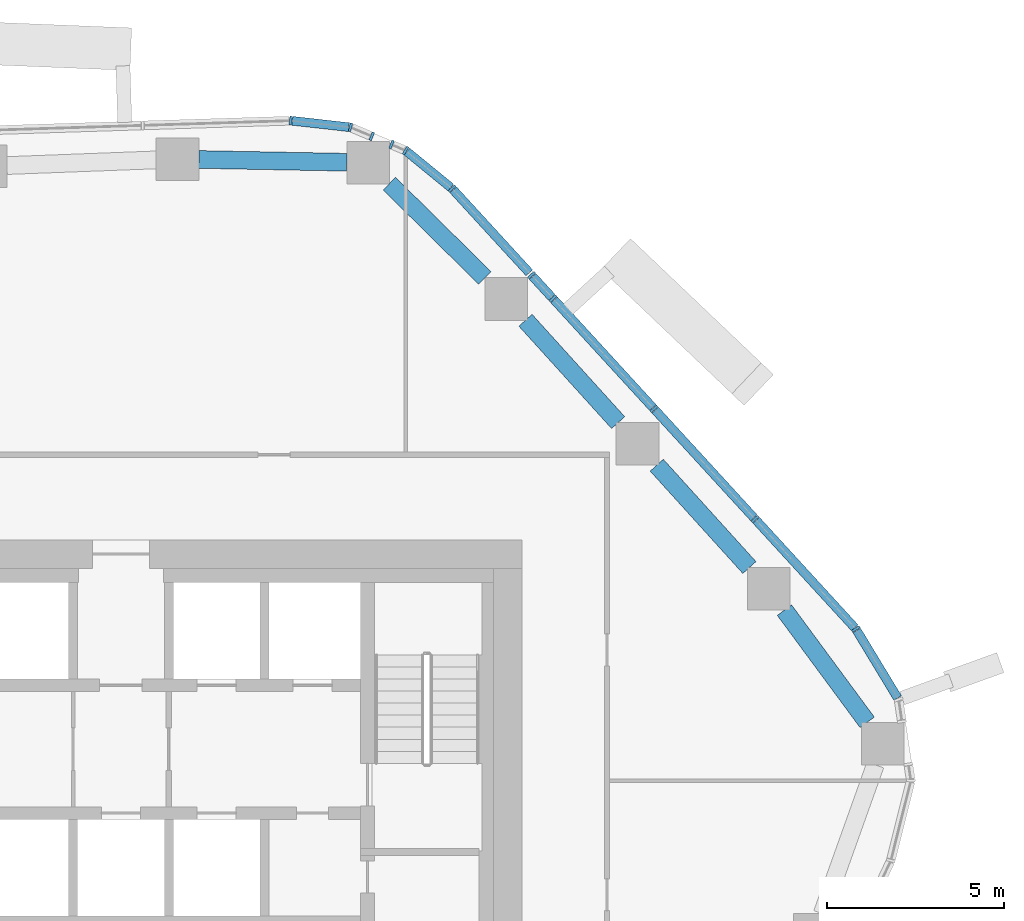
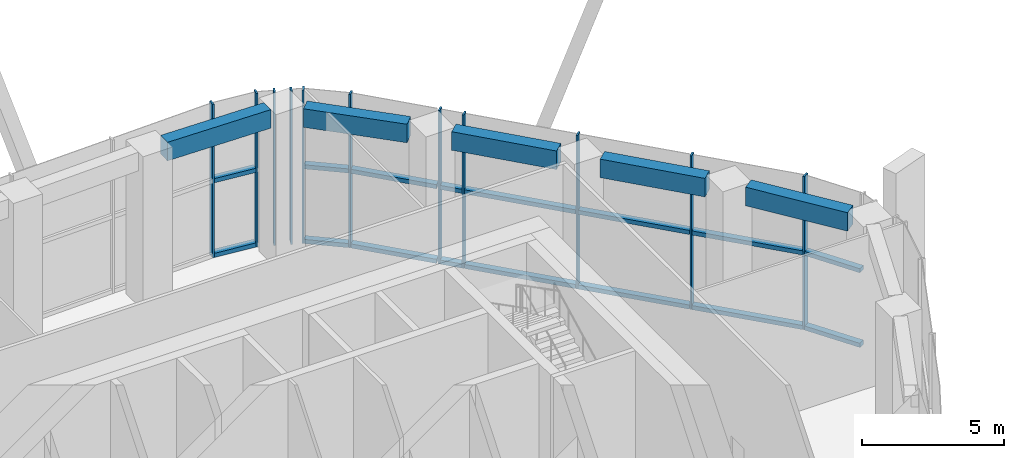
# One storey, part 5 of 20: 27 members, 5 beams, 5 elements without a shape of their own.
"""IFC4 building model written with IfcOpenShell, lengths in metres."""

from ifc_helpers import new_model, si_unit, direction, frame, origin, origin_2d, place, context, subcontext, project, spatial, rectangle, extrude, material, layer, layer_set, material_profile, profile_set, type_object, element, aggregate, save


model = new_model("IFC4")

# Units and contexts
model_context = context("Model", 3, precision=1e-05, world=origin(), true_north=direction((0.0, 1.0)))
body_context = subcontext(model_context, "Body", "Model", "MODEL_VIEW")
ifc_project = project(units=[si_unit("LENGTHUNIT", "METRE"), si_unit("AREAUNIT", "SQUARE_METRE"), si_unit("VOLUMEUNIT", "CUBIC_METRE"), si_unit("PLANEANGLEUNIT", "RADIAN"), si_unit("MASSUNIT", "GRAM", prefix="KILO")], contexts=[model_context])

# Site, building, storey
site_placement = place(None, origin())
site = spatial("IfcSite", under=ifc_project, at=site_placement, CompositionType="ELEMENT")
building_placement = place(site_placement, origin())
building = spatial("IfcBuilding", under=site, at=building_placement, Name="Dongbaek Canopy Tower", CompositionType="ELEMENT")
storey_placement = place(building_placement, frame((0.0, 0.0, 151.60009765625)))
storey = spatial("IfcBuildingStorey", under=building, at=storey_placement, Name="L33", CompositionType="ELEMENT", Elevation=151.60009765625)

# Curtain wall, member
ifc_material_1 = material(Name="Aluminium 6063-T6 pale anodised", Category="aluminium")
ifc_layer = layer(ifc_material_1, 0.25)
ifc_layer_set = layer_set([ifc_layer], Name="CW-4 sky-lobby curtain wall")
curtain_wall_type = type_object("IfcCurtainWallType", Name="CW-4 sky-lobby curtain wall", PredefinedType="NOTDEFINED", material=ifc_layer_set)
curtain_wall_1_placement = place(storey_placement, origin())
curtain_wall_1 = element("IfcCurtainWall", 1, at=curtain_wall_1_placement, inside=storey, type_object=curtain_wall_type, Name="CW-4 curtain wall K0.1b", PredefinedType="NOTDEFINED")
ifc_material_2 = material(Name="Aluminium 6063-T6 pale anodised", Category="aluminium")
ifc_material_profile_1 = material_profile(ifc_material_2, rectangle(XDim=0.25, YDim=0.070068359375, at=origin_2d()), Name="CW-4 mullion 70 x 250")
ifc_profile_set_1 = profile_set([ifc_material_profile_1], Name="Aluminium 6063-T6 pale anodised")
member_type_1 = type_object("IfcMemberType", Name="CW-4 mullion 70 x 250", PredefinedType="MULLION", material=ifc_profile_set_1)
member_1_placement = place(storey_placement, frame((23.417724609375, 8.489013671875, 0.0), z_axis=(0.0, 0.0, 1.0), x_axis=(0.855328019409, 0.518086845243, 0.0)))
member_1 = element("IfcMember", 2, at=member_1_placement, type_object=member_type_1, Name="CW-4 mullion K0.1b.3", PredefinedType="MULLION", context=body_context, shape_type="SweptSolid", body=[
    extrude(rectangle(XDim=0.25, YDim=0.070068359375, at=origin_2d()), origin(), (0.0, 0.0, 1.0), 6.619873046875),
])

# Curtain wall, members
curtain_wall_2_placement = place(storey_placement, origin())
curtain_wall_2 = element("IfcCurtainWall", 3, at=curtain_wall_2_placement, inside=storey, type_object=curtain_wall_type, Name="CW-4 curtain wall F0.1a", PredefinedType="NOTDEFINED")
member_2_placement = place(storey_placement, frame((20.576171875, 11.5888671875, 0.0), z_axis=(0.0, 0.0, 1.0), x_axis=(0.737125173792, 0.675756226876, 0.0)))
member_2 = element("IfcMember", 4, at=member_2_placement, type_object=member_type_1, Name="CW-4 mullion F0.1a.2", PredefinedType="MULLION", context=body_context, shape_type="SweptSolid", body=[
    extrude(rectangle(XDim=0.25, YDim=0.070068359375, at=origin_2d()), origin(), (0.0, 0.0, 1.0), 6.619873046875),
])
member_3_placement = place(storey_placement, frame((17.727783203125, 14.69580078125, 0.0), z_axis=(0.0, 0.0, 1.0), x_axis=(0.737125173792, 0.675756226876, 0.0)))
member_3 = element("IfcMember", 5, at=member_3_placement, type_object=member_type_1, Name="CW-4 mullion F0.1a.3", PredefinedType="MULLION", context=body_context, shape_type="SweptSolid", body=[
    extrude(rectangle(XDim=0.25, YDim=0.070068359375, at=origin_2d()), origin(), (0.0, 0.0, 1.0), 6.619873046875),
])
member_4_placement = place(storey_placement, frame((14.87939453125, 17.802978515625, 0.0), z_axis=(0.0, 0.0, 1.0), x_axis=(0.737125173792, 0.675756226876, 0.0)))
member_4 = element("IfcMember", 6, at=member_4_placement, type_object=member_type_1, Name="CW-4 mullion F0.1a.4", PredefinedType="MULLION", context=body_context, shape_type="SweptSolid", body=[
    extrude(rectangle(XDim=0.25, YDim=0.070068359375, at=origin_2d()), origin(), (0.0, 0.0, 1.0), 6.619873046875),
])
member_5_placement = place(storey_placement, frame((14.274169921875, 18.463134765625, 0.0), z_axis=(0.0, 0.0, 1.0), x_axis=(0.737125173792, 0.675756226876, 0.0)))
member_5 = element("IfcMember", 7, at=member_5_placement, type_object=member_type_1, Name="CW-4 mullion F0.1a.5", PredefinedType="MULLION", context=body_context, shape_type="SweptSolid", body=[
    extrude(rectangle(XDim=0.25, YDim=0.070068359375, at=origin_2d()), origin(), (0.0, 0.0, 1.0), 6.619873046875),
])

# Curtain wall, member
curtain_wall_3_placement = place(storey_placement, origin())
curtain_wall_3 = element("IfcCurtainWall", 8, at=curtain_wall_3_placement, inside=storey, type_object=curtain_wall_type, Name="CW-4 curtain wall F0.1b", PredefinedType="NOTDEFINED")
member_6_placement = place(storey_placement, frame((12.035888671875, 20.904541015625, 0.0), z_axis=(0.0, 0.0, 1.0), x_axis=(0.737125173792, 0.675756226876, 0.0)))
member_6 = element("IfcMember", 9, at=member_6_placement, type_object=member_type_1, Name="CW-4 mullion F0.1b.2", PredefinedType="MULLION", context=body_context, shape_type="SweptSolid", body=[
    extrude(rectangle(XDim=0.25, YDim=0.070068359375, at=origin_2d()), origin(), (0.0, 0.0, 1.0), 6.619873046875),
])

# Curtain wall, members
curtain_wall_4_placement = place(storey_placement, origin())
curtain_wall_4 = element("IfcCurtainWall", 10, at=curtain_wall_4_placement, inside=storey, type_object=curtain_wall_type, Name="CW-4 curtain wall K1.1a", PredefinedType="NOTDEFINED")
member_7_placement = place(storey_placement, frame((10.724609375, 21.976806640625, 0.0), z_axis=(0.0, 0.0, 1.0), x_axis=(0.515775813926, 0.856723590062, 0.0)))
member_7 = element("IfcMember", 11, at=member_7_placement, type_object=member_type_1, Name="CW-4 mullion K1.1a.2", PredefinedType="MULLION", context=body_context, shape_type="SweptSolid", body=[
    extrude(rectangle(XDim=0.25, YDim=0.070068359375, at=origin_2d()), origin(), (0.0, 0.0, 1.0), 6.619873046875),
])
member_8_placement = place(storey_placement, frame((10.326171875, 22.14453125, 0.0), z_axis=(0.0, 0.0, 1.0), x_axis=(0.388005296448, 0.921657143372, 0.0)))
member_8 = element("IfcMember", 12, at=member_8_placement, type_object=member_type_1, Name="CW-4 mullion K1.1a.3", PredefinedType="MULLION", context=body_context, shape_type="SweptSolid", body=[
    extrude(rectangle(XDim=0.25, YDim=0.070068359375, at=origin_2d()), origin(), (0.0, 0.0, 1.0), 6.619873046875),
])

curtain_wall_5_placement = place(storey_placement, origin())
curtain_wall_5 = element("IfcCurtainWall", 13, at=curtain_wall_5_placement, inside=storey, type_object=curtain_wall_type, Name="CW-4 curtain wall K1.1b", PredefinedType="NOTDEFINED")
member_9_placement = place(storey_placement, frame((9.771728515625, 22.3779296875, 0.0), z_axis=(0.0, 0.0, 1.0), x_axis=(0.388005296448, 0.921657143372, 0.0)))
member_9 = element("IfcMember", 14, at=member_9_placement, type_object=member_type_1, Name="CW-4 mullion K1.1b.1", PredefinedType="MULLION", context=body_context, shape_type="SweptSolid", body=[
    extrude(rectangle(XDim=0.25, YDim=0.070068359375, at=origin_2d()), origin(), (0.0, 0.0, 1.0), 6.619873046875),
])
member_10_placement = place(storey_placement, frame((9.170166015625, 22.631103515625, 0.0), z_axis=(0.0, 0.0, 1.0), x_axis=(0.252264501637, 0.967658318423, 0.0)))
member_10 = element("IfcMember", 15, at=member_10_placement, type_object=member_type_1, Name="CW-4 mullion K1.1b.2", PredefinedType="MULLION", context=body_context, shape_type="SweptSolid", body=[
    extrude(rectangle(XDim=0.25, YDim=0.070068359375, at=origin_2d()), origin(), (0.0, 0.0, 1.0), 6.619873046875),
])
member_11_placement = place(storey_placement, frame((7.48681640625, 22.819580078125, 0.0), z_axis=(0.0, 0.0, 1.0), x_axis=(0.111341772306, 0.993782174191, 0.0)))
member_11 = element("IfcMember", 16, at=member_11_placement, type_object=member_type_1, Name="CW-4 mullion K1.1b.3", PredefinedType="MULLION", context=body_context, shape_type="SweptSolid", body=[
    extrude(rectangle(XDim=0.25, YDim=0.070068359375, at=origin_2d()), origin(), (0.0, 0.0, 1.0), 6.619873046875),
])

# Member
ifc_material_3 = material(Name="Aluminium 6063-T6 pale anodised", Category="aluminium")
ifc_material_profile_2 = material_profile(ifc_material_3, rectangle(XDim=0.25, YDim=0.179931640625, at=origin_2d()), Name="CW-4 transom 180 x 250")
ifc_profile_set_2 = profile_set([ifc_material_profile_2], Name="Aluminium 6063-T6 pale anodised")
member_type_2 = type_object("IfcMemberType", Name="CW-4 transom 180 x 250", PredefinedType="USERDEFINED", material=ifc_profile_set_2)
member_12_placement = place(storey_placement, frame((24.59716796875, 6.542236328125, 0.08984375), z_axis=(-0.518114815023, 0.855311077009, 0.0), x_axis=(-0.855311077009, -0.518114815023, 0.0)))
member_12 = element("IfcMember", 17, at=member_12_placement, type_object=member_type_2, Name="CW-4 transom K0.1b.2.1", ObjectType="TRANSOM", PredefinedType="USERDEFINED", context=body_context, shape_type="SweptSolid", body=[
    extrude(rectangle(XDim=0.25, YDim=0.179931640625, at=origin_2d()), origin(), (0.0, 0.0, 1.0), 2.229248046875),
])

member_13_placement = place(storey_placement, frame((24.59716796875, 6.542236328125, 3.309814453125), z_axis=(-0.518114815023, 0.855311077009, 0.0), x_axis=(-0.855311077009, -0.518114815023, 0.0)))
member_13 = element("IfcMember", 18, at=member_13_placement, type_object=member_type_2, Name="CW-4 transom K0.1b.2.2", ObjectType="TRANSOM", PredefinedType="USERDEFINED", context=body_context, shape_type="SweptSolid", body=[
    extrude(rectangle(XDim=0.25, YDim=0.179931640625, at=origin_2d()), origin(), (0.0, 0.0, 1.0), 2.229248046875),
])

aggregate(curtain_wall_1, [member_1, member_12, member_13])

member_14_placement = place(storey_placement, frame((23.385986328125, 8.523681640625, 0.08984375), z_axis=(-0.675738073989, 0.737141814959, 0.0), x_axis=(-0.737141814959, -0.675738073989, 0.0)))
member_14 = element("IfcMember", 19, at=member_14_placement, type_object=member_type_2, Name="CW-4 transom F0.1a.1.1", ObjectType="TRANSOM", PredefinedType="USERDEFINED", context=body_context, shape_type="SweptSolid", body=[
    extrude(rectangle(XDim=0.25, YDim=0.179931640625, at=origin_2d()), origin(), (0.0, 0.0, 1.0), 4.111083984375),
])

member_15_placement = place(storey_placement, frame((23.385986328125, 8.523681640625, 3.309814453125), z_axis=(-0.675738073989, 0.737141814959, 0.0), x_axis=(-0.737141814959, -0.675738073989, 0.0)))
member_15 = element("IfcMember", 20, at=member_15_placement, type_object=member_type_2, Name="CW-4 transom F0.1a.1.2", ObjectType="TRANSOM", PredefinedType="USERDEFINED", context=body_context, shape_type="SweptSolid", body=[
    extrude(rectangle(XDim=0.25, YDim=0.179931640625, at=origin_2d()), origin(), (0.0, 0.0, 1.0), 4.111083984375),
])

member_16_placement = place(storey_placement, frame((20.54443359375, 11.62353515625, 0.08984375), z_axis=(-0.675783645683, 0.737100036784, 0.0), x_axis=(-0.737100036784, -0.675783645683, 0.0)))
member_16 = element("IfcMember", 21, at=member_16_placement, type_object=member_type_2, Name="CW-4 transom F0.1a.2.1", ObjectType="TRANSOM", PredefinedType="USERDEFINED", context=body_context, shape_type="SweptSolid", body=[
    extrude(rectangle(XDim=0.25, YDim=0.179931640625, at=origin_2d()), origin(), (0.0, 0.0, 1.0), 4.12109375),
])

member_17_placement = place(storey_placement, frame((20.54443359375, 11.62353515625, 3.309814453125), z_axis=(-0.675783645683, 0.737100036784, 0.0), x_axis=(-0.737100036784, -0.675783645683, 0.0)))
member_17 = element("IfcMember", 22, at=member_17_placement, type_object=member_type_2, Name="CW-4 transom F0.1a.2.2", ObjectType="TRANSOM", PredefinedType="USERDEFINED", context=body_context, shape_type="SweptSolid", body=[
    extrude(rectangle(XDim=0.25, YDim=0.179931640625, at=origin_2d()), origin(), (0.0, 0.0, 1.0), 4.12109375),
])

member_18_placement = place(storey_placement, frame((17.696044921875, 14.73046875, 0.08984375), z_axis=(-0.675754136353, 0.737127090264, 0.0), x_axis=(-0.737127090264, -0.675754136353, 0.0)))
member_18 = element("IfcMember", 23, at=member_18_placement, type_object=member_type_2, Name="CW-4 transom F0.1a.3.1", ObjectType="TRANSOM", PredefinedType="USERDEFINED", context=body_context, shape_type="SweptSolid", body=[
    extrude(rectangle(XDim=0.25, YDim=0.179931640625, at=origin_2d()), origin(), (0.0, 0.0, 1.0), 4.12109375),
])

member_19_placement = place(storey_placement, frame((17.696044921875, 14.73046875, 3.309814453125), z_axis=(-0.675754136353, 0.737127090264, 0.0), x_axis=(-0.737127090264, -0.675754136353, 0.0)))
member_19 = element("IfcMember", 24, at=member_19_placement, type_object=member_type_2, Name="CW-4 transom F0.1a.3.2", ObjectType="TRANSOM", PredefinedType="USERDEFINED", context=body_context, shape_type="SweptSolid", body=[
    extrude(rectangle(XDim=0.25, YDim=0.179931640625, at=origin_2d()), origin(), (0.0, 0.0, 1.0), 4.12109375),
])

member_20_placement = place(storey_placement, frame((14.84765625, 17.83740234375, 0.08984375), z_axis=(-0.675683261553, 0.737192057782, 0.0), x_axis=(-0.737192057782, -0.675683261553, 0.0)))
member_20 = element("IfcMember", 25, at=member_20_placement, type_object=member_type_2, Name="CW-4 transom F0.1a.4.1", ObjectType="TRANSOM", PredefinedType="USERDEFINED", context=body_context, shape_type="SweptSolid", body=[
    extrude(rectangle(XDim=0.25, YDim=0.179931640625, at=origin_2d()), origin(), (0.0, 0.0, 1.0), 0.8017578125),
])

member_21_placement = place(storey_placement, frame((14.84765625, 17.83740234375, 3.309814453125), z_axis=(-0.675683261553, 0.737192057782, 0.0), x_axis=(-0.737192057782, -0.675683261553, 0.0)))
member_21 = element("IfcMember", 26, at=member_21_placement, type_object=member_type_2, Name="CW-4 transom F0.1a.4.2", ObjectType="TRANSOM", PredefinedType="USERDEFINED", context=body_context, shape_type="SweptSolid", body=[
    extrude(rectangle(XDim=0.25, YDim=0.179931640625, at=origin_2d()), origin(), (0.0, 0.0, 1.0), 0.8017578125),
])

aggregate(curtain_wall_2, [member_2, member_3, member_4, member_5, member_14, member_15, member_16, member_17, member_18, member_19, member_20, member_21])

member_22_placement = place(storey_placement, frame((14.211669921875, 18.531494140625, 0.08984375), z_axis=(-0.675815226556, 0.737071081752, 0.0), x_axis=(-0.737071081752, -0.675815226556, 0.0)))
member_22 = element("IfcMember", 27, at=member_22_placement, type_object=member_type_2, Name="CW-4 transom F0.1b.1.1", ObjectType="TRANSOM", PredefinedType="USERDEFINED", context=body_context, shape_type="SweptSolid", body=[
    extrude(rectangle(XDim=0.25, YDim=0.179931640625, at=origin_2d()), origin(), (0.0, 0.0, 1.0), 3.172607421875),
])

member_23_placement = place(storey_placement, frame((14.211669921875, 18.531494140625, 3.309814453125), z_axis=(-0.675815226556, 0.737071081752, 0.0), x_axis=(-0.737071081752, -0.675815226556, 0.0)))
member_23 = element("IfcMember", 28, at=member_23_placement, type_object=member_type_2, Name="CW-4 transom F0.1b.1.2", ObjectType="TRANSOM", PredefinedType="USERDEFINED", context=body_context, shape_type="SweptSolid", body=[
    extrude(rectangle(XDim=0.25, YDim=0.179931640625, at=origin_2d()), origin(), (0.0, 0.0, 1.0), 3.172607421875),
])

aggregate(curtain_wall_3, [member_6, member_22, member_23])

member_24_placement = place(storey_placement, frame((11.99951171875, 20.934326171875, 0.08984375), z_axis=(-0.774154436699, 0.632996767874, 0.0), x_axis=(-0.632996767874, -0.774154436699, 0.0)))
member_24 = element("IfcMember", 29, at=member_24_placement, type_object=member_type_2, Name="CW-4 transom K1.1a.1.1", ObjectType="TRANSOM", PredefinedType="USERDEFINED", context=body_context, shape_type="SweptSolid", body=[
    extrude(rectangle(XDim=0.25, YDim=0.179931640625, at=origin_2d()), origin(), (0.0, 0.0, 1.0), 1.599853515625),
])

member_25_placement = place(storey_placement, frame((11.99951171875, 20.934326171875, 3.309814453125), z_axis=(-0.774154436699, 0.632996767874, 0.0), x_axis=(-0.632996767874, -0.774154436699, 0.0)))
member_25 = element("IfcMember", 30, at=member_25_placement, type_object=member_type_2, Name="CW-4 transom K1.1a.1.2", ObjectType="TRANSOM", PredefinedType="USERDEFINED", context=body_context, shape_type="SweptSolid", body=[
    extrude(rectangle(XDim=0.25, YDim=0.179931640625, at=origin_2d()), origin(), (0.0, 0.0, 1.0), 1.599853515625),
])

aggregate(curtain_wall_4, [member_7, member_8, member_24, member_25])

member_26_placement = place(storey_placement, frame((9.12353515625, 22.63623046875, 0.08984375), z_axis=(-0.993775318513, 0.111402945718, 0.0), x_axis=(-0.111402945718, -0.993775318513, 0.0)))
member_26 = element("IfcMember", 31, at=member_26_placement, type_object=member_type_2, Name="CW-4 transom K1.1b.2.1", ObjectType="TRANSOM", PredefinedType="USERDEFINED", context=body_context, shape_type="SweptSolid", body=[
    extrude(rectangle(XDim=0.25, YDim=0.179931640625, at=origin_2d()), origin(), (0.0, 0.0, 1.0), 1.599853515625),
])

member_27_placement = place(storey_placement, frame((9.12353515625, 22.63623046875, 3.309814453125), z_axis=(-0.993775318513, 0.111402945718, 0.0), x_axis=(-0.111402945718, -0.993775318513, 0.0)))
member_27 = element("IfcMember", 32, at=member_27_placement, type_object=member_type_2, Name="CW-4 transom K1.1b.2.2", ObjectType="TRANSOM", PredefinedType="USERDEFINED", context=body_context, shape_type="SweptSolid", body=[
    extrude(rectangle(XDim=0.25, YDim=0.179931640625, at=origin_2d()), origin(), (0.0, 0.0, 1.0), 1.599853515625),
])

aggregate(curtain_wall_5, [member_9, member_10, member_11, member_26, member_27])

# Beams
ifc_material_4 = material(Name="Concrete C70", Category="concrete")
ifc_material_profile_3 = material_profile(ifc_material_4, rectangle(XDim=0.5, YDim=0.800048828125, at=origin_2d()), Name="RC EDGE BEAM 500x800 C70")
ifc_profile_set_3 = profile_set([ifc_material_profile_3], Name="Concrete C70")
beam_type = type_object("IfcBeamType", Name="RC EDGE BEAM 500x800 C70", PredefinedType="BEAM", material=ifc_profile_set_3)
beam_1_placement = place(storey_placement, frame((4.89501953125, 21.724609375, 6.219970703125), z_axis=(0.999823523871, -0.018786194753, 0.0), x_axis=(0.018786194753, 0.999823523871, 0.0)))
element("IfcBeam", 33, at=beam_1_placement, inside=storey, type_object=beam_type, Name="EDGEBEAM:L33:16", PredefinedType="BEAM", context=body_context, shape_type="SweptSolid", body=[
    extrude(rectangle(XDim=0.5, YDim=0.800048828125, at=origin_2d()), origin(), (0.0, 0.0, 1.0), 4.171630859375),
])
beam_2_placement = place(storey_placement, frame((10.26611328125, 21.04296875, 6.219970703125), z_axis=(0.711703560094, -0.702479923236, 0.0), x_axis=(0.702479923236, 0.711703560094, 0.0)))
element("IfcBeam", 34, at=beam_2_placement, inside=storey, type_object=beam_type, Name="EDGEBEAM:L33:17", PredefinedType="BEAM", context=body_context, shape_type="SweptSolid", body=[
    extrude(rectangle(XDim=0.5, YDim=0.800048828125, at=origin_2d()), origin(), (0.0, 0.0, 1.0), 3.78515625),
])
beam_3_placement = place(storey_placement, frame((14.103515625, 17.19189453125, 6.219970703125), z_axis=(0.67132037677, -0.741167289978, 0.0), x_axis=(0.741167289978, 0.67132037677, 0.0)))
element("IfcBeam", 35, at=beam_3_placement, inside=storey, type_object=beam_type, Name="EDGEBEAM:L33:18", PredefinedType="BEAM", context=body_context, shape_type="SweptSolid", body=[
    extrude(rectangle(XDim=0.5, YDim=0.800048828125, at=origin_2d()), origin(), (0.0, 0.0, 1.0), 3.893798828125),
])
beam_4_placement = place(storey_placement, frame((17.80419921875, 13.10595703125, 6.219970703125), z_axis=(0.671238468475, -0.741241471074, 0.0), x_axis=(0.741241471074, 0.671238468475, 0.0)))
element("IfcBeam", 36, at=beam_4_placement, inside=storey, type_object=beam_type, Name="EDGEBEAM:L33:19", PredefinedType="BEAM", context=body_context, shape_type="SweptSolid", body=[
    extrude(rectangle(XDim=0.5, YDim=0.800048828125, at=origin_2d()), origin(), (0.0, 0.0, 1.0), 3.89208984375),
])
beam_5_placement = place(storey_placement, frame((21.402587890625, 9.02099609375, 6.219970703125), z_axis=(0.593743199573, -0.804654592332, 0.0), x_axis=(0.804654592332, 0.593743199573, 0.0)))
element("IfcBeam", 37, at=beam_5_placement, inside=storey, type_object=beam_type, Name="EDGEBEAM:L33:20", PredefinedType="BEAM", context=body_context, shape_type="SweptSolid", body=[
    extrude(rectangle(XDim=0.5, YDim=0.800048828125, at=origin_2d()), origin(), (0.0, 0.0, 1.0), 3.93212890625),
])

save(model, "model.ifc")
